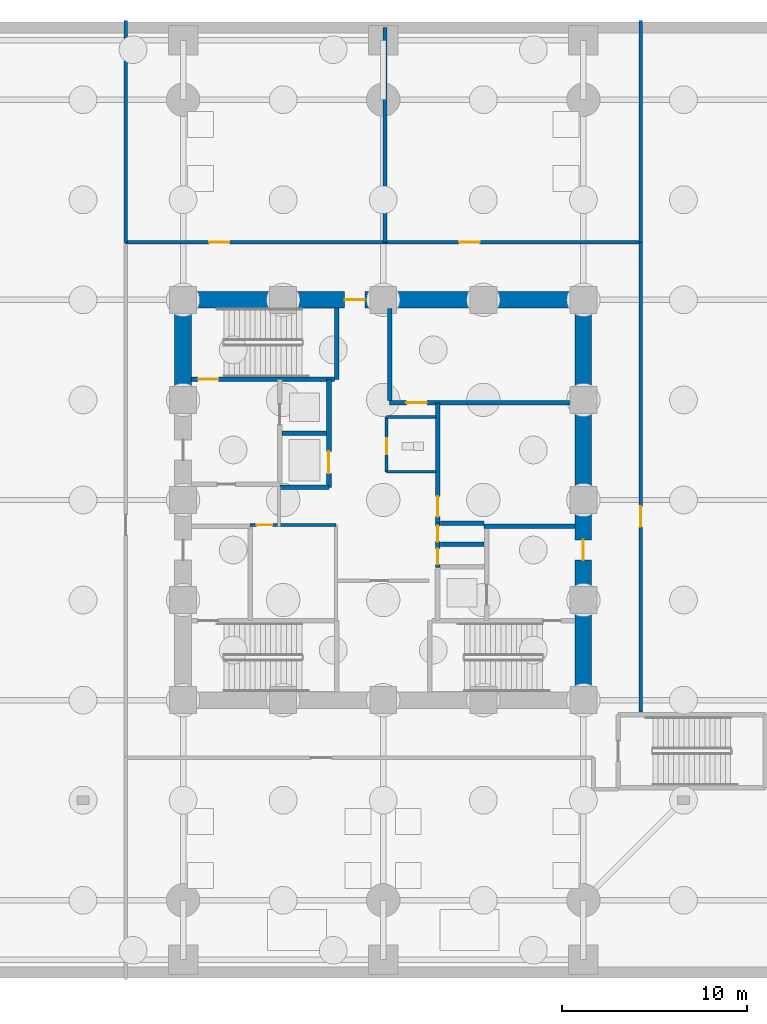
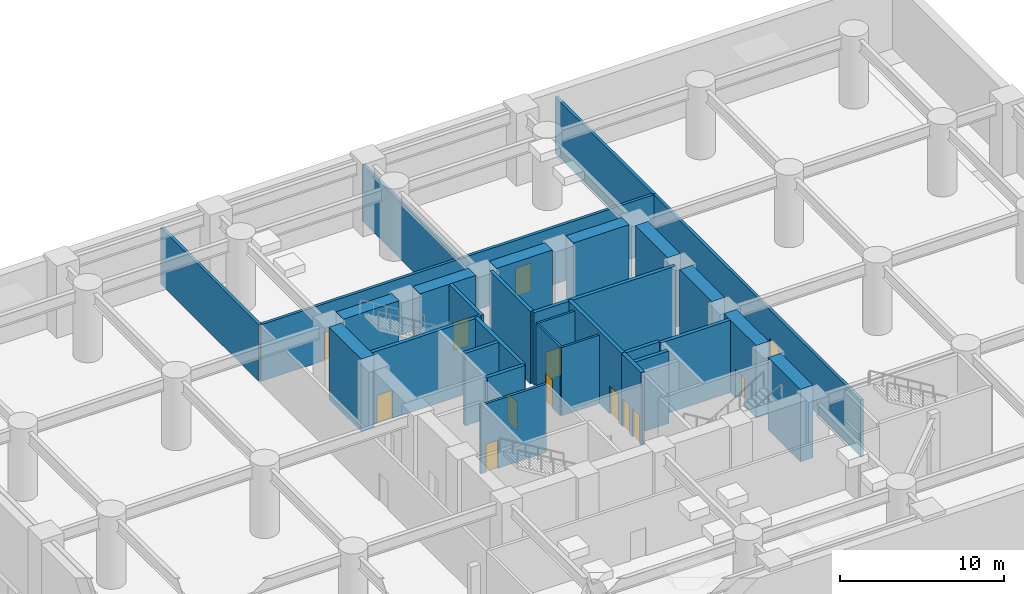
# One storey, part 5 of 9: 30 walls, 13 doors, 13 openings.
"""IFC4 building model written with IfcOpenShell, lengths in metres."""

from ifc_helpers import new_model, si_unit, direction, frame, frame_2d, origin, place, context, subcontext, project, spatial, rectangle, extrude, material, layer, layer_set, type_object, element, fill, save


model = new_model("IFC4")

# Units and contexts
model_context = context("Model", 3, precision=1e-05, world=origin(), true_north=direction((0.0, 1.0)))
body_context = subcontext(model_context, "Body", "Model", "MODEL_VIEW")
ifc_project = project(units=[si_unit("LENGTHUNIT", "METRE"), si_unit("AREAUNIT", "SQUARE_METRE"), si_unit("VOLUMEUNIT", "CUBIC_METRE"), si_unit("PLANEANGLEUNIT", "RADIAN"), si_unit("MASSUNIT", "GRAM", prefix="KILO")], contexts=[model_context])

# Site, building, storey
site_placement = place(None, origin())
site = spatial("IfcSite", under=ifc_project, at=site_placement, CompositionType="ELEMENT")
building_placement = place(site_placement, origin())
building = spatial("IfcBuilding", under=site, at=building_placement, Name="Surkhivell Harbour Commons", CompositionType="ELEMENT")
storey_placement = place(building_placement, frame((0.0, 0.0, -5.39990234375)))
storey = spatial("IfcBuildingStorey", under=building, at=storey_placement, Name="B1", CompositionType="ELEMENT", Elevation=-5.39990234375)

# Walls
ifc_material_1 = material(Name="Concrete C80/95", Category="concrete")
ifc_layer_1 = layer(ifc_material_1, 0.89990234375)
ifc_layer_set_1 = layer_set([ifc_layer_1], Name="Concrete C80/95")
wall_type_1 = type_object("IfcWallType", Name="WAL-CORE-900", PredefinedType="SHEAR", material=ifc_layer_set_1)
for number, where, z_axis, x_axis, name in (
    (1, (-10.06494140625, 10.800048828125, 0.0), (0.0, 0.0, 1.0), (1.0, 0.0, 0.0), "B1 Core Shear Wall North 1"),
    (2, (10.800048828125, -10.06494140625, 0.0), (0.0, 0.0, 1.0), (0.0, 1.0, 0.0), "B1 Core Shear Wall East 1"),
):
    element("IfcWall", number, at=place(storey_placement, frame(where, z_axis=z_axis, x_axis=x_axis)), inside=storey, type_object=wall_type_1, Name=name, PredefinedType="SHEAR", context=body_context, shape_type="SweptSolid", body=[
        extrude(rectangle(XDim=3.929931640625, YDim=0.89990234375, at=frame_2d((1.96484375, 0.0))), origin(), (0.0, 0.0, 1.0), 5.39990234375),
    ])

# Wall, opening, door
wall_1_placement = place(storey_placement, frame((-4.6650390625, 10.800048828125, 0.0), z_axis=(0.0, 0.0, 1.0), x_axis=(1.0, 0.0, 0.0)))
wall_1 = element("IfcWall", 3, at=wall_1_placement, inside=storey, type_object=wall_type_1, Name="B1 Core Shear Wall North 2", PredefinedType="SHEAR", context=body_context, shape_type="SweptSolid", body=[
    extrude(rectangle(XDim=3.929931640625, YDim=0.89990234375, at=frame_2d((1.96484375, 0.0))), origin(), (0.0, 0.0, 1.0), 5.39990234375),
])
opening_1_placement = place(wall_1_placement, frame((2.580078125, 0.0, 0.0)))
opening_1 = element("IfcOpeningElement", 4, at=opening_1_placement, cuts=wall_1, Name="Opening ID-2", PredefinedType="OPENING", context=body_context, shape_type="SweptSolid", body=[
    extrude(rectangle(XDim=1.10009765625, YDim=2.10009765625, at=frame_2d((0.550048828125, 1.050048828125))), frame((0.0, 0.4599609375, 0.0), z_axis=(0.0, -1.0, 0.0), x_axis=(1.0, 0.0, 0.0)), (0.0, 0.0, 1.0), 0.919921875),
])
ifc_material_2 = material(Name="Hardwood-veneered fire-rated door leaf", Category="wood")
door_type_1 = type_object("IfcDoorType", Name="DOR-FD60-1100", OperationType="NOTDEFINED", PredefinedType="DOOR", material=ifc_material_2)
door_1_placement = place(opening_1_placement, origin())
door_1 = element("IfcDoor", 5, at=door_1_placement, inside=storey, type_object=door_type_1, Name="B1 Central Core Lift Hall North Corridor Door", OperationType="SINGLE_SWING_LEFT", OverallHeight=2.10009765625, OverallWidth=1.10009765625, PredefinedType="DOOR", context=body_context, shape_type="SweptSolid", body=[
    extrude(rectangle(XDim=1.10009765625, YDim=2.10009765625, at=frame_2d((0.550048828125, 1.050048828125))), frame((0.0, 0.02490234375, 0.0), z_axis=(0.0, -1.0, 0.0), x_axis=(1.0, 0.0, 0.0)), (0.0, 0.0, 1.0), 0.050048828125),
])
fill(opening_1, door_1)

wall_2_placement = place(storey_placement, frame((10.800048828125, -4.6650390625, 0.0), z_axis=(0.0, 0.0, 1.0), x_axis=(0.0, 1.0, 0.0)))
wall_2 = element("IfcWall", 6, at=wall_2_placement, inside=storey, type_object=wall_type_1, Name="B1 Core Shear Wall East 2", PredefinedType="SHEAR", context=body_context, shape_type="SweptSolid", body=[
    extrude(rectangle(XDim=3.929931640625, YDim=0.89990234375, at=frame_2d((1.96484375, 0.0))), origin(), (0.0, 0.0, 1.0), 5.39990234375),
])
opening_2_placement = place(wall_2_placement, frame((1.4150390625, 0.0, 0.0)))
opening_2 = element("IfcOpeningElement", 7, at=opening_2_placement, cuts=wall_2, Name="Opening ID-1", PredefinedType="OPENING", context=body_context, shape_type="SweptSolid", body=[
    extrude(rectangle(XDim=1.10009765625, YDim=2.10009765625, at=frame_2d((0.550048828125, 1.050048828125))), frame((0.0, 0.4599609375, 0.0), z_axis=(0.0, -1.0, 0.0), x_axis=(1.0, 0.0, 0.0)), (0.0, 0.0, 1.0), 0.919921875),
])
door_type_2 = type_object("IfcDoorType", Name="DOR-FD120-1100", OperationType="NOTDEFINED", PredefinedType="DOOR", material=ifc_material_2)
door_2_placement = place(opening_2_placement, origin())
door_2 = element("IfcDoor", 8, at=door_2_placement, inside=storey, type_object=door_type_2, Name="B1 Firefighting Lobby 2 Corridor Door", OperationType="SINGLE_SWING_RIGHT", OverallHeight=2.10009765625, OverallWidth=1.10009765625, PredefinedType="DOOR", context=body_context, shape_type="SweptSolid", body=[
    extrude(rectangle(XDim=1.10009765625, YDim=2.10009765625, at=frame_2d((0.550048828125, 1.050048828125))), frame((0.0, 0.02490234375, 0.0), z_axis=(0.0, -1.0, 0.0), x_axis=(1.0, 0.0, 0.0)), (0.0, 0.0, 1.0), 0.050048828125),
])
fill(opening_2, door_2)

# Walls
for number, where, z_axis, x_axis, name in (
    (9, (0.735107421875, 10.800048828125, 0.0), (0.0, 0.0, 1.0), (1.0, 0.0, 0.0), "B1 Core Shear Wall North 3"),
    (10, (10.800048828125, 0.735107421875, 0.0), (0.0, 0.0, 1.0), (0.0, 1.0, 0.0), "B1 Core Shear Wall East 3"),
    (11, (6.135009765625, 10.800048828125, 0.0), (0.0, 0.0, 1.0), (1.0, 0.0, 0.0), "B1 Core Shear Wall North 4"),
    (12, (-10.800048828125, 6.135009765625, 0.0), (0.0, 0.0, 1.0), (0.0, 1.0, 0.0), "B1 Core Shear Wall West 4"),
    (13, (10.800048828125, 6.135009765625, 0.0), (0.0, 0.0, 1.0), (0.0, 1.0, 0.0), "B1 Core Shear Wall East 4"),
):
    element("IfcWall", number, at=place(storey_placement, frame(where, z_axis=z_axis, x_axis=x_axis)), inside=storey, type_object=wall_type_1, Name=name, PredefinedType="SHEAR", context=body_context, shape_type="SweptSolid", body=[
        extrude(rectangle(XDim=3.929931640625, YDim=0.89990234375, at=frame_2d((1.96484375, 0.0))), origin(), (0.0, 0.0, 1.0), 5.39990234375),
    ])
ifc_material_3 = material(Name="Twin-stud acoustic fireboard partition", Category="other")
ifc_layer_2 = layer(ifc_material_3, 0.14990234375)
ifc_layer_set_2 = layer_set([ifc_layer_2], Name="Twin-stud acoustic fireboard partition")
wall_type_2 = type_object("IfcWallType", Name="WAL-INT-150", PredefinedType="PARTITIONING", material=ifc_layer_set_2)
for number, where, z_axis, x_axis, name in (
    (14, (0.179931640625, 4.47998046875, 0.0), (0.0, 0.0, 1.0), (1.0, 0.0, 0.0), "B1 Core Accessible WC North Wall"),
    (15, (0.179931640625, 1.52001953125, 0.0), (0.0, 0.0, 1.0), (1.0, 0.0, 0.0), "B1 Core Accessible WC South Wall"),
):
    element("IfcWall", number, at=place(storey_placement, frame(where, z_axis=z_axis, x_axis=x_axis)), inside=storey, type_object=wall_type_2, Name=name, PredefinedType="PARTITIONING", context=body_context, shape_type="SweptSolid", body=[
        extrude(rectangle(XDim=2.670166015625, YDim=0.14990234375, at=frame_2d((1.3349609375, 0.0))), origin(), (0.0, 0.0, 1.0), 5.099853515625),
    ])

# Wall, opening, door
wall_3_placement = place(storey_placement, frame((0.179931640625, 1.52001953125, 0.0), z_axis=(0.0, 0.0, 1.0), x_axis=(0.0, 1.0, 0.0)))
wall_3 = element("IfcWall", 16, at=wall_3_placement, inside=storey, type_object=wall_type_2, Name="B1 Core Accessible WC West Wall", PredefinedType="PARTITIONING", context=body_context, shape_type="SweptSolid", body=[
    extrude(rectangle(XDim=2.9599609375, YDim=0.14990234375, at=frame_2d((1.47998046875, 0.0))), origin(), (0.0, 0.0, 1.0), 5.099853515625),
])
opening_3_placement = place(wall_3_placement, frame((0.949951171875, 0.0, 0.0)))
opening_3 = element("IfcOpeningElement", 17, at=opening_3_placement, cuts=wall_3, Name="Opening ID-6", PredefinedType="OPENING", context=body_context, shape_type="SweptSolid", body=[
    extrude(rectangle(XDim=0.85009765625, YDim=2.10009765625, at=frame_2d((0.425048828125, 1.050048828125))), frame((0.0, 0.0849609375, 0.0), z_axis=(0.0, -1.0, 0.0), x_axis=(1.0, 0.0, 0.0)), (0.0, 0.0, 1.0), 0.169921875),
])
door_type_3 = type_object("IfcDoorType", Name="DOR-FD30-850", OperationType="NOTDEFINED", PredefinedType="DOOR", material=ifc_material_2)
door_3_placement = place(opening_3_placement, origin())
door_3 = element("IfcDoor", 18, at=door_3_placement, inside=storey, type_object=door_type_3, Name="B1 Floor Accessible WC Door", OperationType="SINGLE_SWING_RIGHT", OverallHeight=2.10009765625, OverallWidth=0.85009765625, PredefinedType="DOOR", context=body_context, shape_type="SweptSolid", body=[
    extrude(rectangle(XDim=0.85009765625, YDim=2.10009765625, at=frame_2d((0.425048828125, 1.050048828125))), frame((0.0, 0.02490234375, 0.0), z_axis=(0.0, -1.0, 0.0), x_axis=(1.0, 0.0, 0.0)), (0.0, 0.0, 1.0), 0.050048828125),
])
fill(opening_3, door_3)

ifc_material_4 = material(Name="High-density acoustic blockwork fire partition", Category="masonry")
ifc_layer_3 = layer(ifc_material_4, 0.175048828125)
ifc_layer_set_3 = layer_set([ifc_layer_3], Name="High-density acoustic blockwork fire partition")
wall_type_3 = type_object("IfcWallType", Name="WAL-INT-175", PredefinedType="PARTITIONING", material=ifc_layer_set_3)
wall_4_placement = place(storey_placement, frame((-7.179931640625, -1.35009765625, 0.0), z_axis=(0.0, 0.0, 1.0), x_axis=(1.0, 0.0, 0.0)))
wall_4 = element("IfcWall", 19, at=wall_4_placement, inside=storey, type_object=wall_type_3, Name="B1 Core Service Bay North Wall", PredefinedType="PARTITIONING", context=body_context, shape_type="SweptSolid", body=[
    extrude(rectangle(XDim=4.6298828125, YDim=0.175048828125, at=frame_2d((2.31494140625, 0.0))), origin(), (0.0, 0.0, 1.0), 5.099853515625),
])
opening_4_placement = place(wall_4_placement, frame((0.345947265625, 0.0, 0.0)))
opening_4 = element("IfcOpeningElement", 20, at=opening_4_placement, cuts=wall_4, Name="Opening ID-6", PredefinedType="OPENING", context=body_context, shape_type="SweptSolid", body=[
    extrude(rectangle(XDim=0.85009765625, YDim=2.10009765625, at=frame_2d((0.425048828125, 1.050048828125))), frame((0.0, 0.097412109375, 0.0), z_axis=(0.0, -1.0, 0.0), x_axis=(1.0, 0.0, 0.0)), (0.0, 0.0, 1.0), 0.195068359375),
])
door_4_placement = place(opening_4_placement, origin())
door_4 = element("IfcDoor", 21, at=door_4_placement, inside=storey, type_object=door_type_3, Name="B1 Core Metering Door", OperationType="SINGLE_SWING_LEFT", OverallHeight=2.10009765625, OverallWidth=0.85009765625, PredefinedType="DOOR", context=body_context, shape_type="SweptSolid", body=[
    extrude(rectangle(XDim=0.85009765625, YDim=2.10009765625, at=frame_2d((0.425048828125, 1.050048828125))), frame((0.0, 0.02490234375, 0.0), z_axis=(0.0, -1.0, 0.0), x_axis=(1.0, 0.0, 0.0)), (0.0, 0.0, 1.0), 0.050048828125),
])
fill(opening_4, door_4)

# Wall
ifc_material_5 = material(Name="Autoclaved aerated concrete blockwork and fire plaster", Category="masonry")
ifc_layer_4 = layer(ifc_material_5, 0.199951171875)
ifc_layer_set_4 = layer_set([ifc_layer_4], Name="Autoclaved aerated concrete blockwork and fire plaster")
wall_type_4 = type_object("IfcWallType", Name="WAL-INT-200", PredefinedType="PARTITIONING", material=ifc_layer_set_4)
wall_5_placement = place(storey_placement, frame((0.10009765625, 13.89990234375, 0.0), z_axis=(0.0, 0.0, 1.0), x_axis=(0.0, 1.0, 0.0)))
element("IfcWall", 22, at=wall_5_placement, inside=storey, type_object=wall_type_4, Name="B1 Tank/Pump Wall", PredefinedType="PARTITIONING", context=body_context, shape_type="SweptSolid", body=[
    extrude(rectangle(XDim=11.60009765625, YDim=0.199951171875, at=frame_2d((5.800048828125, 0.0))), origin(), (0.0, 0.0, 1.0), 4.22900390625),
])

# Wall, opening, door
wall_6_placement = place(storey_placement, frame((13.89990234375, -11.449951171875, 0.0), z_axis=(0.0, 0.0, 1.0), x_axis=(0.0, 1.0, 0.0)))
wall_6 = element("IfcWall", 23, at=wall_6_placement, inside=storey, type_object=wall_type_4, Name="B1 Corridor East Wall", PredefinedType="PARTITIONING", context=body_context, shape_type="SweptSolid", body=[
    extrude(rectangle(XDim=25.349853515625, YDim=0.199951171875, at=frame_2d((12.6748046875, 0.0))), origin(), (0.0, 0.0, 1.0), 4.22900390625),
])
opening_5_placement = place(wall_6_placement, frame((10.0, 0.0, 0.0)))
opening_5 = element("IfcOpeningElement", 24, at=opening_5_placement, cuts=wall_6, Name="Opening ID-2", PredefinedType="OPENING", context=body_context, shape_type="SweptSolid", body=[
    extrude(rectangle(XDim=1.10009765625, YDim=2.10009765625, at=frame_2d((0.550048828125, 1.050048828125))), frame((0.0, 0.10986328125, 0.0), z_axis=(0.0, -1.0, 0.0), x_axis=(1.0, 0.0, 0.0)), (0.0, 0.0, 1.0), 0.219970703125),
])
door_5_placement = place(opening_5_placement, origin())
door_5 = element("IfcDoor", 25, at=door_5_placement, inside=storey, type_object=door_type_1, Name="B1 Substructure District Cooling Exchange Plant Door", OperationType="SINGLE_SWING_LEFT", OverallHeight=2.10009765625, OverallWidth=1.10009765625, PredefinedType="DOOR", context=body_context, shape_type="SweptSolid", body=[
    extrude(rectangle(XDim=1.10009765625, YDim=2.10009765625, at=frame_2d((0.550048828125, 1.050048828125))), frame((0.0, 0.02490234375, 0.0), z_axis=(0.0, -1.0, 0.0), x_axis=(1.0, 0.0, 0.0)), (0.0, 0.0, 1.0), 0.050048828125),
])
fill(opening_5, door_5)

# Wall, openings, doors
wall_7_placement = place(storey_placement, frame((-13.89990234375, 13.89990234375, 0.0), z_axis=(0.0, 0.0, 1.0), x_axis=(1.0, 0.0, 0.0)))
wall_7 = element("IfcWall", 26, at=wall_7_placement, inside=storey, type_object=wall_type_4, Name="B1 Corridor North Wall", PredefinedType="PARTITIONING", context=body_context, shape_type="SweptSolid", body=[
    extrude(rectangle(XDim=27.7998046875, YDim=0.199951171875, at=frame_2d((13.89990234375, 0.0))), origin(), (0.0, 0.0, 1.0), 4.22900390625),
])
opening_6_placement = place(wall_7_placement, frame((4.5, 0.0, 0.0)))
opening_6 = element("IfcOpeningElement", 27, at=opening_6_placement, cuts=wall_7, Name="Opening ID-2", PredefinedType="OPENING", context=body_context, shape_type="SweptSolid", body=[
    extrude(rectangle(XDim=1.10009765625, YDim=2.10009765625, at=frame_2d((0.550048828125, 1.050048828125))), frame((0.0, 0.10986328125, 0.0), z_axis=(0.0, -1.0, 0.0), x_axis=(1.0, 0.0, 0.0)), (0.0, 0.0, 1.0), 0.219970703125),
])
opening_7_placement = place(wall_7_placement, frame((18.0, 0.0, 0.0)))
opening_7 = element("IfcOpeningElement", 28, at=opening_7_placement, cuts=wall_7, Name="Opening ID-2", PredefinedType="OPENING", context=body_context, shape_type="SweptSolid", body=[
    extrude(rectangle(XDim=1.10009765625, YDim=2.10009765625, at=frame_2d((0.550048828125, 1.050048828125))), frame((0.0, 0.10986328125, 0.0), z_axis=(0.0, -1.0, 0.0), x_axis=(1.0, 0.0, 0.0)), (0.0, 0.0, 1.0), 0.219970703125),
])
door_6_placement = place(opening_6_placement, origin())
door_6 = element("IfcDoor", 29, at=door_6_placement, inside=storey, type_object=door_type_1, Name="B1 Fire Sprinkler and Potable Water Tank Hall Door", OperationType="SINGLE_SWING_RIGHT", OverallHeight=2.10009765625, OverallWidth=1.10009765625, PredefinedType="DOOR", context=body_context, shape_type="SweptSolid", body=[
    extrude(rectangle(XDim=1.10009765625, YDim=2.10009765625, at=frame_2d((0.550048828125, 1.050048828125))), frame((0.0, 0.02490234375, 0.0), z_axis=(0.0, -1.0, 0.0), x_axis=(1.0, 0.0, 0.0)), (0.0, 0.0, 1.0), 0.050048828125),
])
fill(opening_6, door_6)
door_7_placement = place(opening_7_placement, origin())
door_7 = element("IfcDoor", 30, at=door_7_placement, inside=storey, type_object=door_type_1, Name="B1 Domestic and Fire Pump Plant Room Door", OperationType="SINGLE_SWING_LEFT", OverallHeight=2.10009765625, OverallWidth=1.10009765625, PredefinedType="DOOR", context=body_context, shape_type="SweptSolid", body=[
    extrude(rectangle(XDim=1.10009765625, YDim=2.10009765625, at=frame_2d((0.550048828125, 1.050048828125))), frame((0.0, 0.02490234375, 0.0), z_axis=(0.0, -1.0, 0.0), x_axis=(1.0, 0.0, 0.0)), (0.0, 0.0, 1.0), 0.050048828125),
])
fill(opening_7, door_7)

# Walls
for number, where, z_axis, x_axis, name in (
    (31, (13.89990234375, 13.89990234375, 0.0), (0.0, 0.0, 1.0), (0.0, 1.0, 0.0), "B1 Corner NE Divider"),
    (32, (-13.89990234375, 13.89990234375, 0.0), (0.0, 0.0, 1.0), (0.0, 1.0, 0.0), "B1 Corner NW Divider"),
):
    element("IfcWall", number, at=place(storey_placement, frame(where, z_axis=z_axis, x_axis=x_axis)), inside=storey, type_object=wall_type_4, Name=name, PredefinedType="PARTITIONING", context=body_context, shape_type="SweptSolid", body=[
        extrude(rectangle(XDim=11.960205078125, YDim=0.199951171875, at=frame_2d((5.97998046875, 0.0))), origin(), (0.0, 0.0, 1.0), 4.22900390625),
    ])

# Wall, opening, door
ifc_material_6 = material(Name="Concrete C50/60", Category="concrete")
ifc_layer_5 = layer(ifc_material_6, 0.25)
ifc_layer_set_5 = layer_set([ifc_layer_5], Name="Concrete C50/60")
wall_type_5 = type_object("IfcWallType", Name="WAL-SHAFT-250", PredefinedType="SHEAR", material=ifc_layer_set_5)
wall_8_placement = place(storey_placement, frame((0.35009765625, 5.239990234375, 0.0), z_axis=(0.0, 0.0, 1.0), x_axis=(1.0, 0.0, 0.0)))
wall_8 = element("IfcWall", 33, at=wall_8_placement, inside=storey, type_object=wall_type_5, Name="B1 Pump Room Wall", PredefinedType="SHEAR", context=body_context, shape_type="SweptSolid", body=[
    extrude(rectangle(XDim=9.989990234375, YDim=0.25, at=frame_2d((4.9951171875, 0.0))), origin(), (0.0, 0.0, 1.0), 5.39990234375),
])
opening_8_placement = place(wall_8_placement, frame((0.89990234375, 0.0, 0.0)))
opening_8 = element("IfcOpeningElement", 34, at=opening_8_placement, cuts=wall_8, Name="Opening ID-2", PredefinedType="OPENING", context=body_context, shape_type="SweptSolid", body=[
    extrude(rectangle(XDim=1.10009765625, YDim=2.10009765625, at=frame_2d((0.550048828125, 1.050048828125))), frame((0.0, 0.135009765625, 0.0), z_axis=(0.0, -1.0, 0.0), x_axis=(1.0, 0.0, 0.0)), (0.0, 0.0, 1.0), 0.27001953125),
])
door_8_placement = place(opening_8_placement, origin())
door_8 = element("IfcDoor", 35, at=door_8_placement, inside=storey, type_object=door_type_1, Name="B1 Pump Room Door", OperationType="SINGLE_SWING_LEFT", OverallHeight=2.10009765625, OverallWidth=1.10009765625, PredefinedType="DOOR", context=body_context, shape_type="SweptSolid", body=[
    extrude(rectangle(XDim=1.10009765625, YDim=2.10009765625, at=frame_2d((0.550048828125, 1.050048828125))), frame((0.0, 0.02490234375, 0.0), z_axis=(0.0, -1.0, 0.0), x_axis=(1.0, 0.0, 0.0)), (0.0, 0.0, 1.0), 0.050048828125),
])
fill(opening_8, door_8)

# Wall
wall_9_placement = place(storey_placement, frame((0.35009765625, 5.360107421875, 0.0), z_axis=(0.0, 0.0, 1.0), x_axis=(0.0, 1.0, 0.0)))
element("IfcWall", 36, at=wall_9_placement, inside=storey, type_object=wall_type_5, Name="B1 Pump Room West Wall", PredefinedType="SHEAR", context=body_context, shape_type="SweptSolid", body=[
    extrude(rectangle(XDim=4.97998046875, YDim=0.25, at=frame_2d((2.489990234375, 0.0))), origin(), (0.0, 0.0, 1.0), 5.39990234375),
])

# Wall, opening, door
wall_10_placement = place(storey_placement, frame((2.949951171875, -1.25, 0.0), z_axis=(0.0, 0.0, 1.0), x_axis=(0.0, 1.0, 0.0)))
wall_10 = element("IfcWall", 37, at=wall_10_placement, inside=storey, type_object=wall_type_5, Name="B1 Switchgear Core Wall", PredefinedType="SHEAR", context=body_context, shape_type="SweptSolid", body=[
    extrude(rectangle(XDim=6.489990234375, YDim=0.25, at=frame_2d((3.2451171875, 0.0))), origin(), (0.0, 0.0, 1.0), 5.39990234375),
])
opening_9_placement = place(wall_10_placement, frame((0.35009765625, 0.0, 0.0)))
opening_9 = element("IfcOpeningElement", 38, at=opening_9_placement, cuts=wall_10, Name="Opening ID-2", PredefinedType="OPENING", context=body_context, shape_type="SweptSolid", body=[
    extrude(rectangle(XDim=1.10009765625, YDim=2.10009765625, at=frame_2d((0.550048828125, 1.050048828125))), frame((0.0, 0.135009765625, 0.0), z_axis=(0.0, -1.0, 0.0), x_axis=(1.0, 0.0, 0.0)), (0.0, 0.0, 1.0), 0.27001953125),
])
door_9_placement = place(opening_9_placement, origin())
door_9 = element("IfcDoor", 39, at=door_9_placement, inside=storey, type_object=door_type_1, Name="B1 Switchgear Core Door", OperationType="SINGLE_SWING_RIGHT", OverallHeight=2.10009765625, OverallWidth=1.10009765625, PredefinedType="DOOR", context=body_context, shape_type="SweptSolid", body=[
    extrude(rectangle(XDim=1.10009765625, YDim=2.10009765625, at=frame_2d((0.550048828125, 1.050048828125))), frame((0.0, 0.02490234375, 0.0), z_axis=(0.0, -1.0, 0.0), x_axis=(1.0, 0.0, 0.0)), (0.0, 0.0, 1.0), 0.050048828125),
])
fill(opening_9, door_9)

# Walls
wall_11_placement = place(storey_placement, frame((5.43994140625, -1.419921875, 0.0), z_axis=(0.0, 0.0, 1.0), x_axis=(1.0, 0.0, 0.0)))
element("IfcWall", 40, at=wall_11_placement, inside=storey, type_object=wall_type_5, Name="B1 Firefighting Lobby 2 North Wall", PredefinedType="SHEAR", context=body_context, shape_type="SweptSolid", body=[
    extrude(rectangle(XDim=4.900146484375, YDim=0.25, at=frame_2d((2.4501953125, 0.0))), origin(), (0.0, 0.0, 1.0), 5.39990234375),
])
for number, where, z_axis, x_axis, name in (
    (41, (3.080078125, -2.3798828125, 0.0), (0.0, 0.0, 1.0), (1.0, 0.0, 0.0), "B1 Riser Divider Wall"),
    (42, (3.080078125, -1.25, 0.0), (0.0, 0.0, 1.0), (1.0, 0.0, 0.0), "B1 Riser North Wall"),
):
    element("IfcWall", number, at=place(storey_placement, frame(where, z_axis=z_axis, x_axis=x_axis)), inside=storey, type_object=wall_type_5, Name=name, PredefinedType="SHEAR", context=body_context, shape_type="SweptSolid", body=[
        extrude(rectangle(XDim=2.369873046875, YDim=0.25, at=frame_2d((1.18505859375, 0.0))), origin(), (0.0, 0.0, 1.0), 5.39990234375),
    ])

# Wall, openings, doors
wall_12_placement = place(storey_placement, frame((2.949951171875, -3.64990234375, 0.0), z_axis=(0.0, 0.0, 1.0), x_axis=(0.0, 1.0, 0.0)))
wall_12 = element("IfcWall", 43, at=wall_12_placement, inside=storey, type_object=wall_type_5, Name="B1 Riser Shaft West Wall", PredefinedType="SHEAR", context=body_context, shape_type="SweptSolid", body=[
    extrude(rectangle(XDim=2.39990234375, YDim=0.25, at=frame_2d((1.199951171875, 0.0))), origin(), (0.0, 0.0, 1.0), 5.39990234375),
])
opening_10_placement = place(wall_12_placement, frame((0.179931640625, 0.0, 0.0)))
opening_10 = element("IfcOpeningElement", 44, at=opening_10_placement, cuts=wall_12, Name="Opening ID-6", PredefinedType="OPENING", context=body_context, shape_type="SweptSolid", body=[
    extrude(rectangle(XDim=0.85009765625, YDim=2.10009765625, at=frame_2d((0.425048828125, 1.050048828125))), frame((0.0, 0.135009765625, 0.0), z_axis=(0.0, -1.0, 0.0), x_axis=(1.0, 0.0, 0.0)), (0.0, 0.0, 1.0), 0.27001953125),
])
opening_11_placement = place(wall_12_placement, frame((1.409912109375, 0.0, 0.0)))
opening_11 = element("IfcOpeningElement", 45, at=opening_11_placement, cuts=wall_12, Name="Opening ID-6", PredefinedType="OPENING", context=body_context, shape_type="SweptSolid", body=[
    extrude(rectangle(XDim=0.85009765625, YDim=2.10009765625, at=frame_2d((0.425048828125, 1.050048828125))), frame((0.0, 0.135009765625, 0.0), z_axis=(0.0, -1.0, 0.0), x_axis=(1.0, 0.0, 0.0)), (0.0, 0.0, 1.0), 0.27001953125),
])
door_10_placement = place(opening_10_placement, origin())
door_10 = element("IfcDoor", 46, at=door_10_placement, inside=storey, type_object=door_type_3, Name="B1 Electrical Riser Access Door", OperationType="SINGLE_SWING_LEFT", OverallHeight=2.10009765625, OverallWidth=0.85009765625, PredefinedType="DOOR", context=body_context, shape_type="SweptSolid", body=[
    extrude(rectangle(XDim=0.85009765625, YDim=2.10009765625, at=frame_2d((0.425048828125, 1.050048828125))), frame((0.0, 0.02490234375, 0.0), z_axis=(0.0, -1.0, 0.0), x_axis=(1.0, 0.0, 0.0)), (0.0, 0.0, 1.0), 0.050048828125),
])
fill(opening_10, door_10)
door_11_placement = place(opening_11_placement, origin())
door_11 = element("IfcDoor", 47, at=door_11_placement, inside=storey, type_object=door_type_3, Name="B1 Telecom Riser Access Door", OperationType="SINGLE_SWING_RIGHT", OverallHeight=2.10009765625, OverallWidth=0.85009765625, PredefinedType="DOOR", context=body_context, shape_type="SweptSolid", body=[
    extrude(rectangle(XDim=0.85009765625, YDim=2.10009765625, at=frame_2d((0.425048828125, 1.050048828125))), frame((0.0, 0.02490234375, 0.0), z_axis=(0.0, -1.0, 0.0), x_axis=(1.0, 0.0, 0.0)), (0.0, 0.0, 1.0), 0.050048828125),
])
fill(opening_11, door_11)

# Wall
wall_13_placement = place(storey_placement, frame((-2.510009765625, 6.510009765625, 0.0), z_axis=(0.0, 0.0, 1.0), x_axis=(0.0, 1.0, 0.0)))
element("IfcWall", 48, at=wall_13_placement, inside=storey, type_object=wall_type_5, Name="B1 Stair ST1 East Shear Wall", PredefinedType="SHEAR", context=body_context, shape_type="SweptSolid", body=[
    extrude(rectangle(XDim=3.840087890625, YDim=0.25, at=frame_2d((1.919921875, 0.0))), origin(), (0.0, 0.0, 1.0), 5.39990234375),
])

# Wall, opening, door
wall_14_placement = place(storey_placement, frame((-10.340087890625, 6.510009765625, 0.0), z_axis=(0.0, 0.0, 1.0), x_axis=(1.0, 0.0, 0.0)))
wall_14 = element("IfcWall", 49, at=wall_14_placement, inside=storey, type_object=wall_type_5, Name="B1 Stair ST1 South Shear Wall", PredefinedType="SHEAR", context=body_context, shape_type="SweptSolid", body=[
    extrude(rectangle(XDim=7.7001953125, YDim=0.25, at=frame_2d((3.85009765625, 0.0))), origin(), (0.0, 0.0, 1.0), 5.39990234375),
])
opening_12_placement = place(wall_14_placement, frame((0.35009765625, 0.0, 0.0)))
opening_12 = element("IfcOpeningElement", 50, at=opening_12_placement, cuts=wall_14, Name="Opening ID-2", PredefinedType="OPENING", context=body_context, shape_type="SweptSolid", body=[
    extrude(rectangle(XDim=1.10009765625, YDim=2.10009765625, at=frame_2d((0.550048828125, 1.050048828125))), frame((0.0, 0.135009765625, 0.0), z_axis=(0.0, -1.0, 0.0), x_axis=(1.0, 0.0, 0.0)), (0.0, 0.0, 1.0), 0.27001953125),
])
door_12_placement = place(opening_12_placement, origin())
door_12 = element("IfcDoor", 51, at=door_12_placement, inside=storey, type_object=door_type_1, Name="B1 Stair ST1 Exit Door", OperationType="SINGLE_SWING_LEFT", OverallHeight=2.10009765625, OverallWidth=1.10009765625, PredefinedType="DOOR", context=body_context, shape_type="SweptSolid", body=[
    extrude(rectangle(XDim=1.10009765625, YDim=2.10009765625, at=frame_2d((0.550048828125, 1.050048828125))), frame((0.0, 0.02490234375, 0.0), z_axis=(0.0, -1.0, 0.0), x_axis=(1.0, 0.0, 0.0)), (0.0, 0.0, 1.0), 0.050048828125),
])
fill(opening_12, door_12)

wall_15_placement = place(storey_placement, frame((-2.929931640625, 0.679931640625, 0.0), z_axis=(0.0, 0.0, 1.0), x_axis=(0.0, 1.0, 0.0)))
wall_15 = element("IfcWall", 52, at=wall_15_placement, inside=storey, type_object=wall_type_5, Name="B1 Service and Fire Lift East Shaft Wall", PredefinedType="SHEAR", context=body_context, shape_type="SweptSolid", body=[
    extrude(rectangle(XDim=5.830078125, YDim=0.25, at=frame_2d((2.9150390625, 0.0))), origin(), (0.0, 0.0, 1.0), 5.39990234375),
])
opening_13_placement = place(wall_15_placement, frame((0.75, 0.0, 0.0)))
opening_13 = element("IfcOpeningElement", 53, at=opening_13_placement, cuts=wall_15, Name="Opening LD-2", PredefinedType="OPENING", context=body_context, shape_type="SweptSolid", body=[
    extrude(rectangle(XDim=1.199951171875, YDim=2.10009765625, at=frame_2d((0.60009765625, 1.050048828125))), frame((0.0, 0.135009765625, 0.0), z_axis=(0.0, -1.0, 0.0), x_axis=(1.0, 0.0, 0.0)), (0.0, 0.0, 1.0), 0.27001953125),
])
ifc_material_7 = material(Name="Brushed stainless steel S355", Category="steel")
door_type_4 = type_object("IfcDoorType", Name="DOR-LD-1200", OperationType="SLIDING_TO_LEFT", PredefinedType="DOOR", material=ifc_material_7)
door_13_placement = place(opening_13_placement, origin())
door_13 = element("IfcDoor", 54, at=door_13_placement, inside=storey, type_object=door_type_4, Name="B1 Lift Landing Door LD-SVL1", OperationType="SLIDING_TO_LEFT", OverallHeight=2.10009765625, OverallWidth=1.199951171875, PredefinedType="DOOR", context=body_context, shape_type="SweptSolid", body=[
    extrude(rectangle(XDim=1.199951171875, YDim=2.10009765625, at=frame_2d((0.60009765625, 1.050048828125))), frame((0.0, 0.02490234375, 0.0), z_axis=(0.0, -1.0, 0.0), x_axis=(1.0, 0.0, 0.0)), (0.0, 0.0, 1.0), 0.050048828125),
])
fill(opening_13, door_13)

# Walls
wall_16_placement = place(storey_placement, frame((-5.449951171875, 3.60009765625, 0.0), z_axis=(0.0, 0.0, 1.0), x_axis=(1.0, 0.0, 0.0)))
element("IfcWall", 55, at=wall_16_placement, inside=storey, type_object=wall_type_5, Name="B1 FFL1/SVL1 Shaft Divider", PredefinedType="SHEAR", context=body_context, shape_type="SweptSolid", body=[
    extrude(rectangle(XDim=2.389892578125, YDim=0.25, at=frame_2d((1.19482421875, 0.0))), origin(), (0.0, 0.0, 1.0), 5.39990234375),
])
wall_17_placement = place(storey_placement, frame((-5.580078125, 0.679931640625, 0.0), z_axis=(0.0, 0.0, 1.0), x_axis=(1.0, 0.0, 0.0)))
element("IfcWall", 56, at=wall_17_placement, inside=storey, type_object=wall_type_5, Name="B1 SVL1 South Shaft Wall", PredefinedType="SHEAR", context=body_context, shape_type="SweptSolid", body=[
    extrude(rectangle(XDim=2.650146484375, YDim=0.25, at=frame_2d((1.3251953125, 0.0))), origin(), (0.0, 0.0, 1.0), 5.39990234375),
])

save(model, "model.ifc")
